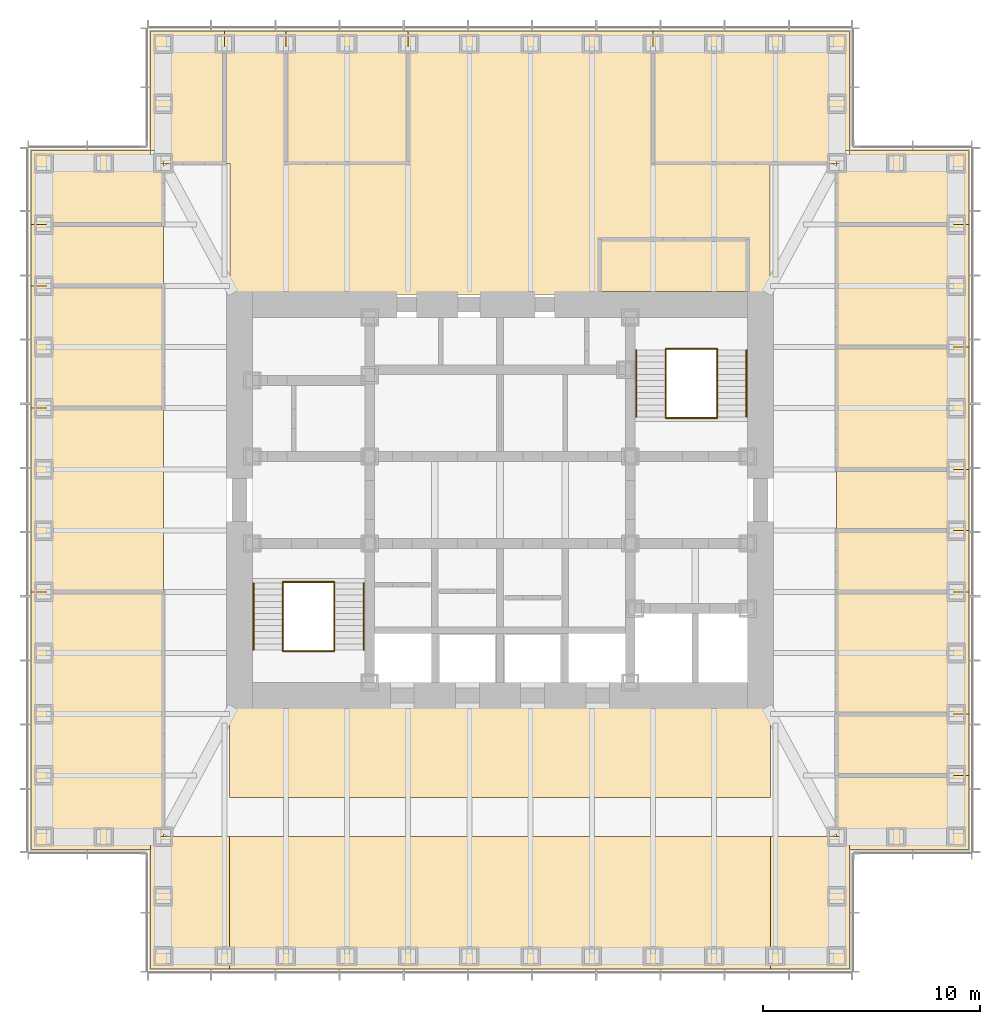
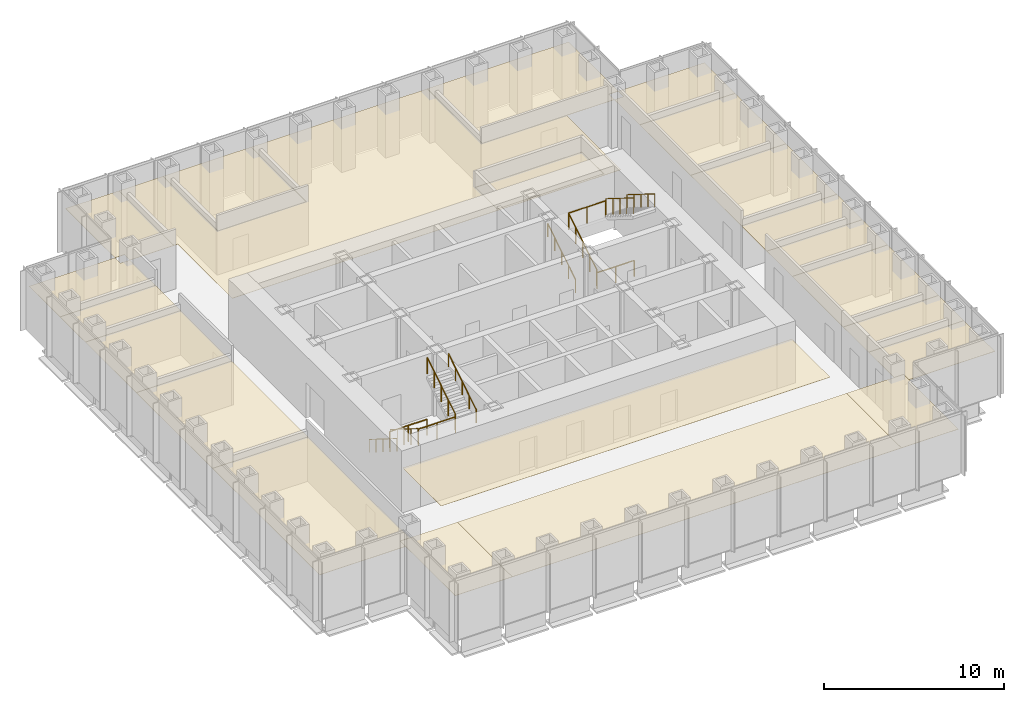
# One storey, part 16 of 16: 22 coverings, 12 railings.
"""IFC4 building model written with IfcOpenShell, lengths in metres."""

from ifc_helpers import new_model, si_unit, direction, frame, origin, origin_2d, place, context, subcontext, project, spatial, polyline, circle, outline, extrude, material, layer, layer_set, type_object, element, save


model = new_model("IFC4")

# Units and contexts
model_context = context("Model", 3, precision=1e-05, world=origin(), true_north=direction((0.0, 1.0)))
body_context = subcontext(model_context, "Body", "Model", "MODEL_VIEW")
ifc_project = project(units=[si_unit("LENGTHUNIT", "METRE"), si_unit("AREAUNIT", "SQUARE_METRE"), si_unit("VOLUMEUNIT", "CUBIC_METRE"), si_unit("PLANEANGLEUNIT", "RADIAN"), si_unit("MASSUNIT", "GRAM", prefix="KILO")], contexts=[model_context])

# Site, building, storey
site_placement = place(None, origin())
site = spatial("IfcSite", under=ifc_project, at=site_placement, CompositionType="ELEMENT")
building_placement = place(site_placement, origin())
building = spatial("IfcBuilding", under=site, at=building_placement, Name="Daluyong Arena Tower", CompositionType="ELEMENT")
storey_placement = place(building_placement, frame((0.0, 0.0, 206.5)))
storey = spatial("IfcBuildingStorey", under=building, at=storey_placement, Name="L46", CompositionType="ELEMENT", Elevation=206.5)

# Coverings
ifc_material_1 = material(Name="Mineral fibre ceiling tile", Category="gypsum board")
ifc_layer = layer(ifc_material_1, 0.02001953125)
ifc_layer_set = layer_set([ifc_layer], Name="Mineral fibre ceiling tile")
covering_type = type_object("IfcCoveringType", Name="Office ceiling", PredefinedType="CEILING", material=ifc_layer_set)
covering_1_placement = place(storey_placement, frame((0.0, 0.0, 2.89990234375)))
element("IfcCovering", 1, at=covering_1_placement, inside=storey, type_object=covering_type, Name="ceiling L46-01", PredefinedType="CEILING", context=body_context, shape_type="SweptSolid", body=[
    extrude(outline(polyline([(72.10009765625, 63.89990234375), (77.60009765625, 63.89990234375), (77.60009765625, 67.318115234375), (71.5, 67.318115234375), (71.5, 64.5), (72.10009765625, 64.5), (72.10009765625, 63.89990234375)])), origin(), (0.0, 0.0, 1.0), 0.02001953125),
])
covering_2_placement = place(storey_placement, frame((0.0, 0.0, 2.89990234375)))
element("IfcCovering", 2, at=covering_2_placement, inside=storey, type_object=covering_type, Name="ceiling L46-02", PredefinedType="CEILING", context=body_context, shape_type="SweptSolid", body=[
    extrude(outline(polyline([(71.5, 67.318115234375), (77.60009765625, 67.318115234375), (77.60009765625, 70.136474609375), (71.5, 70.136474609375), (71.5, 67.318115234375)])), origin(), (0.0, 0.0, 1.0), 0.02001953125),
])
covering_3_placement = place(storey_placement, frame((0.0, 0.0, 2.89990234375)))
element("IfcCovering", 3, at=covering_3_placement, inside=storey, type_object=covering_type, Name="ceiling L46-03", PredefinedType="CEILING", context=body_context, shape_type="SweptSolid", body=[
    extrude(outline(polyline([(71.5, 70.136474609375), (77.60009765625, 70.136474609375), (77.60009765625, 75.772705078125), (71.5, 75.772705078125), (71.5, 70.136474609375)])), origin(), (0.0, 0.0, 1.0), 0.02001953125),
])
covering_4_placement = place(storey_placement, frame((0.0, 0.0, 2.89990234375)))
element("IfcCovering", 4, at=covering_4_placement, inside=storey, type_object=covering_type, Name="ceiling L46-04", PredefinedType="CEILING", context=body_context, shape_type="SweptSolid", body=[
    extrude(outline(polyline([(71.5, 75.772705078125), (77.60009765625, 75.772705078125), (77.60009765625, 78.5908203125), (71.5, 78.5908203125), (71.5, 75.772705078125)])), origin(), (0.0, 0.0, 1.0), 0.02001953125),
])
covering_5_placement = place(storey_placement, frame((0.0, 0.0, 2.89990234375)))
element("IfcCovering", 5, at=covering_5_placement, inside=storey, type_object=covering_type, Name="ceiling L46-05", PredefinedType="CEILING", context=body_context, shape_type="SweptSolid", body=[
    extrude(outline(polyline([(71.5, 81.4091796875), (77.60009765625, 81.4091796875), (77.60009765625, 87.04541015625), (71.5, 87.04541015625), (71.5, 81.4091796875)])), origin(), (0.0, 0.0, 1.0), 0.02001953125),
])
covering_6_placement = place(storey_placement, frame((0.0, 0.0, 2.89990234375)))
element("IfcCovering", 6, at=covering_6_placement, inside=storey, type_object=covering_type, Name="ceiling L46-06", PredefinedType="CEILING", context=body_context, shape_type="SweptSolid", body=[
    extrude(outline(polyline([(71.5, 87.04541015625), (77.60009765625, 87.04541015625), (77.60009765625, 92.681884765625), (71.5, 92.681884765625), (71.5, 87.04541015625)])), origin(), (0.0, 0.0, 1.0), 0.02001953125),
])
covering_7_placement = place(storey_placement, frame((0.0, 0.0, 2.89990234375)))
element("IfcCovering", 7, at=covering_7_placement, inside=storey, type_object=covering_type, Name="ceiling L46-07", PredefinedType="CEILING", context=body_context, shape_type="SweptSolid", body=[
    extrude(outline(polyline([(71.5, 92.681884765625), (77.60009765625, 92.681884765625), (77.60009765625, 96.10009765625), (72.10009765625, 96.10009765625), (72.10009765625, 95.5), (71.5, 95.5), (71.5, 92.681884765625)])), origin(), (0.0, 0.0, 1.0), 0.02001953125),
])
covering_8_placement = place(storey_placement, frame((0.0, 0.0, 2.89990234375)))
element("IfcCovering", 8, at=covering_8_placement, inside=storey, type_object=covering_type, Name="ceiling L46-08", PredefinedType="CEILING", context=body_context, shape_type="SweptSolid", body=[
    extrude(outline(polyline([(43.318115234375, 95.5), (43.318115234375, 101.60009765625), (39.89990234375, 101.60009765625), (39.89990234375, 96.10009765625), (40.5, 96.10009765625), (40.5, 95.5), (43.318115234375, 95.5)])), origin(), (0.0, 0.0, 1.0), 0.02001953125),
])
covering_9_placement = place(storey_placement, frame((0.0, 0.0, 2.89990234375)))
element("IfcCovering", 9, at=covering_9_placement, inside=storey, type_object=covering_type, Name="ceiling L46-09", PredefinedType="CEILING", context=body_context, shape_type="SweptSolid", body=[
    extrude(outline(polyline([(51.772705078125, 95.5), (51.772705078125, 101.60009765625), (46.136474609375, 101.60009765625), (46.136474609375, 95.5), (51.772705078125, 95.5)])), origin(), (0.0, 0.0, 1.0), 0.02001953125),
])
covering_10_placement = place(storey_placement, frame((0.0, 0.0, 2.89990234375)))
element("IfcCovering", 10, at=covering_10_placement, inside=storey, type_object=covering_type, Name="ceiling L46-10", PredefinedType="CEILING", context=body_context, shape_type="SweptSolid", body=[
    extrude(outline(polyline([(63.04541015625, 95.5), (71.5, 95.5), (71.5, 96.10009765625), (72.10009765625, 96.10009765625), (72.10009765625, 101.60009765625), (63.04541015625, 101.60009765625), (63.04541015625, 95.5)])), origin(), (0.0, 0.0, 1.0), 0.02001953125),
])
covering_11_placement = place(storey_placement, frame((0.0, 0.0, 2.89990234375)))
element("IfcCovering", 11, at=covering_11_placement, inside=storey, type_object=covering_type, Name="ceiling L46-11", PredefinedType="CEILING", context=body_context, shape_type="SweptSolid", body=[
    extrude(outline(polyline([(34.39990234375, 63.89990234375), (39.89990234375, 63.89990234375), (39.89990234375, 64.5), (40.5, 64.5), (40.5, 75.772705078125), (34.39990234375, 75.772705078125), (34.39990234375, 63.89990234375)])), origin(), (0.0, 0.0, 1.0), 0.02001953125),
])
covering_12_placement = place(storey_placement, frame((0.0, 0.0, 2.89990234375)))
element("IfcCovering", 12, at=covering_12_placement, inside=storey, type_object=covering_type, Name="ceiling L46-12", PredefinedType="CEILING", context=body_context, shape_type="SweptSolid", body=[
    extrude(outline(polyline([(40.5, 89.863525390625), (34.39990234375, 89.863525390625), (34.39990234375, 84.227294921875), (40.5, 84.227294921875), (40.5, 89.863525390625)])), origin(), (0.0, 0.0, 1.0), 0.02001953125),
])
covering_13_placement = place(storey_placement, frame((0.0, 0.0, 2.89990234375)))
element("IfcCovering", 13, at=covering_13_placement, inside=storey, type_object=covering_type, Name="ceiling L46-13", PredefinedType="CEILING", context=body_context, shape_type="SweptSolid", body=[
    extrude(outline(polyline([(40.5, 92.681884765625), (40.5, 95.5), (39.89990234375, 95.5), (39.89990234375, 96.10009765625), (34.39990234375, 96.10009765625), (34.39990234375, 92.681884765625), (40.5, 92.681884765625)])), origin(), (0.0, 0.0, 1.0), 0.02001953125),
])
covering_14_placement = place(storey_placement, frame((0.0, 0.0, 2.89990234375)))
element("IfcCovering", 14, at=covering_14_placement, inside=storey, type_object=covering_type, Name="ceiling L46-14", PredefinedType="CEILING", context=body_context, shape_type="SweptSolid", body=[
    extrude(outline(polyline([(60.60009765625, 89.60009765625), (67.39990234375, 89.60009765625), (67.39990234375, 92.0), (60.60009765625, 92.0), (60.60009765625, 89.60009765625)])), origin(), (0.0, 0.0, 1.0), 0.02001953125),
])
covering_15_placement = place(storey_placement, frame((0.0, 0.0, 2.89990234375)))
element("IfcCovering", 15, at=covering_15_placement, inside=storey, type_object=covering_type, Name="ceiling L46-18", PredefinedType="CEILING", context=body_context, shape_type="SweptSolid", body=[
    extrude(outline(polyline([(43.550048828125, 58.39990234375), (68.449951171875, 58.39990234375), (68.449951171875, 64.5), (43.550048828125, 64.5), (43.550048828125, 58.39990234375)])), origin(), (0.0, 0.0, 1.0), 0.02001953125),
])
covering_16_placement = place(storey_placement, frame((0.0, 0.0, 2.89990234375)))
element("IfcCovering", 16, at=covering_16_placement, inside=storey, type_object=covering_type, Name="ceiling L46-19", PredefinedType="CEILING", context=body_context, shape_type="SweptSolid", body=[
    extrude(outline(polyline([(68.449951171875, 70.550048828125), (43.550048828125, 70.550048828125), (43.550048828125, 66.300048828125), (68.449951171875, 66.300048828125), (68.449951171875, 70.550048828125)])), origin(), (0.0, 0.0, 1.0), 0.02001953125),
])
covering_17_placement = place(storey_placement, frame((0.0, 0.0, 2.89990234375)))
element("IfcCovering", 17, at=covering_17_placement, inside=storey, type_object=covering_type, Name="ceiling L46-20", PredefinedType="CEILING", context=body_context, shape_type="SweptSolid", body=[
    extrude(outline(polyline([(71.5, 78.5908203125), (77.60009765625, 78.5908203125), (77.60009765625, 81.4091796875), (71.5, 81.4091796875), (71.5, 78.5908203125)])), origin(), (0.0, 0.0, 1.0), 0.02001953125),
])
covering_18_placement = place(storey_placement, frame((0.0, 0.0, 2.89990234375)))
element("IfcCovering", 18, at=covering_18_placement, inside=storey, type_object=covering_type, Name="ceiling L46-21", PredefinedType="CEILING", context=body_context, shape_type="SweptSolid", body=[
    extrude(outline(polyline([(72.10009765625, 58.39990234375), (72.10009765625, 64.5), (68.449951171875, 64.5), (68.449951171875, 58.39990234375), (72.10009765625, 58.39990234375)])), origin(), (0.0, 0.0, 1.0), 0.02001953125),
])
covering_19_placement = place(storey_placement, frame((0.0, 0.0, 2.89990234375)))
element("IfcCovering", 19, at=covering_19_placement, inside=storey, type_object=covering_type, Name="ceiling L46-22", PredefinedType="CEILING", context=body_context, shape_type="SweptSolid", body=[
    extrude(outline(polyline([(43.318115234375, 95.5), (43.56005859375, 95.5), (43.56005859375, 89.4599609375), (68.43994140625, 89.4599609375), (68.43994140625, 95.489990234375), (63.035400390625, 95.489990234375), (63.035400390625, 101.590087890625), (51.78271484375, 101.590087890625), (51.78271484375, 95.489990234375), (46.12646484375, 95.489990234375), (46.12646484375, 101.590087890625), (43.550537109375, 101.590087890625), (43.5498046875, 101.60009765625), (43.318115234375, 101.60009765625), (43.318115234375, 95.5)]), holes=[polyline([(67.409912109375, 92.010009765625), (67.409912109375, 89.590087890625), (60.590087890625, 89.590087890625), (60.590087890625, 92.010009765625), (67.409912109375, 92.010009765625)])]), origin(), (0.0, 0.0, 1.0), 0.02001953125),
])
covering_20_placement = place(storey_placement, frame((0.0, 0.0, 2.89990234375)))
element("IfcCovering", 20, at=covering_20_placement, inside=storey, type_object=covering_type, Name="ceiling L46-23", PredefinedType="CEILING", context=body_context, shape_type="SweptSolid", body=[
    extrude(outline(polyline([(34.39990234375, 84.227294921875), (34.39990234375, 75.772705078125), (40.5, 75.772705078125), (40.5, 84.227294921875), (34.39990234375, 84.227294921875)])), origin(), (0.0, 0.0, 1.0), 0.02001953125),
])
covering_21_placement = place(storey_placement, frame((0.0, 0.0, 2.89990234375)))
element("IfcCovering", 21, at=covering_21_placement, inside=storey, type_object=covering_type, Name="ceiling L46-24", PredefinedType="CEILING", context=body_context, shape_type="SweptSolid", body=[
    extrude(outline(polyline([(40.5, 89.863525390625), (40.5, 92.681884765625), (34.39990234375, 92.681884765625), (34.39990234375, 89.863525390625), (40.5, 89.863525390625)])), origin(), (0.0, 0.0, 1.0), 0.02001953125),
])
covering_22_placement = place(storey_placement, frame((0.0, 0.0, 2.89990234375)))
element("IfcCovering", 22, at=covering_22_placement, inside=storey, type_object=covering_type, Name="ceiling L46-25", PredefinedType="CEILING", context=body_context, shape_type="SweptSolid", body=[
    extrude(outline(polyline([(39.89990234375, 58.39990234375), (43.550048828125, 58.39990234375), (43.550048828125, 64.5), (39.89990234375, 64.5), (39.89990234375, 58.39990234375)])), origin(), (0.0, 0.0, 1.0), 0.02001953125),
])

# Railings
ifc_material_2 = material(Name="Stainless steel handrail", Category="steel")
railing_type_1 = type_object("IfcRailingType", Name="Stair handrail", PredefinedType="HANDRAIL", material=ifc_material_2)
railing_1_placement = place(storey_placement, frame((44.64990234375, 76.175048828125, 0.175048828125)))
element("IfcRailing", 23, at=railing_1_placement, inside=storey, type_object=railing_type_1, Name="exit stair A handrail L46", PredefinedType="HANDRAIL", context=body_context, shape_type="SweptSolid", body=[
    extrude(circle(Radius=0.02392578125, at=origin_2d()), frame((0.0, 0.0, 0.8759765625), z_axis=(0.0, -0.847998304005, 0.529998940003), x_axis=(1.0, 0.0, 0.0)), (0.0, 0.0, 1.0), 3.632080078125),
    extrude(circle(Radius=0.02099609375, at=origin_2d()), origin(), (0.0, 0.0, 1.0), 0.851806640625),
    extrude(circle(Radius=0.02099609375, at=origin_2d()), frame((0.0, -0.77001953125, 0.481201171875)), (0.0, 0.0, 1.0), 0.851806640625),
    extrude(circle(Radius=0.02099609375, at=origin_2d()), frame((0.0, -1.5400390625, 0.96240234375)), (0.0, 0.0, 1.0), 0.851806640625),
    extrude(circle(Radius=0.02099609375, at=origin_2d()), frame((0.0, -2.31005859375, 1.44384765625)), (0.0, 0.0, 1.0), 0.851806640625),
    extrude(circle(Radius=0.02099609375, at=origin_2d()), frame((0.0, -3.080078125, 1.925048828125)), (0.0, 0.0, 1.0), 0.851806640625),
])
for number, where, name in (
    (24, (49.72509765625, 73.094970703125, 2.27490234375), "exit stair A handrail L46"),
    (25, (62.27490234375, 83.824951171875, 0.175048828125), "exit stair B handrail L46"),
):
    element("IfcRailing", number, at=place(storey_placement, frame(where)), inside=storey, type_object=railing_type_1, Name=name, PredefinedType="HANDRAIL", context=body_context, shape_type="SweptSolid", body=[
        extrude(circle(Radius=0.02392578125, at=origin_2d()), frame((0.0, 0.0, 0.8759765625), z_axis=(0.0, 0.847998304005, 0.529998940003), x_axis=(-1.0, 0.0, 0.0)), (0.0, 0.0, 1.0), 3.632080078125),
        extrude(circle(Radius=0.02099609375, at=origin_2d()), origin(), (0.0, 0.0, 1.0), 0.851806640625),
        extrude(circle(Radius=0.02099609375, at=origin_2d()), frame((0.0, 0.77001953125, 0.481201171875)), (0.0, 0.0, 1.0), 0.851806640625),
        extrude(circle(Radius=0.02099609375, at=origin_2d()), frame((0.0, 1.5400390625, 0.96240234375)), (0.0, 0.0, 1.0), 0.851806640625),
        extrude(circle(Radius=0.02099609375, at=origin_2d()), frame((0.0, 2.31005859375, 1.44384765625)), (0.0, 0.0, 1.0), 0.851806640625),
        extrude(circle(Radius=0.02099609375, at=origin_2d()), frame((0.0, 3.080078125, 1.925048828125)), (0.0, 0.0, 1.0), 0.851806640625),
    ])
railing_2_placement = place(storey_placement, frame((67.35009765625, 86.905029296875, 2.27490234375)))
element("IfcRailing", 26, at=railing_2_placement, inside=storey, type_object=railing_type_1, Name="exit stair B handrail L46", PredefinedType="HANDRAIL", context=body_context, shape_type="SweptSolid", body=[
    extrude(circle(Radius=0.02392578125, at=origin_2d()), frame((0.0, 0.0, 0.8759765625), z_axis=(0.0, -0.847998304005, 0.529998940003), x_axis=(1.0, 0.0, 0.0)), (0.0, 0.0, 1.0), 3.632080078125),
    extrude(circle(Radius=0.02099609375, at=origin_2d()), origin(), (0.0, 0.0, 1.0), 0.851806640625),
    extrude(circle(Radius=0.02099609375, at=origin_2d()), frame((0.0, -0.77001953125, 0.481201171875)), (0.0, 0.0, 1.0), 0.851806640625),
    extrude(circle(Radius=0.02099609375, at=origin_2d()), frame((0.0, -1.5400390625, 0.96240234375)), (0.0, 0.0, 1.0), 0.851806640625),
    extrude(circle(Radius=0.02099609375, at=origin_2d()), frame((0.0, -2.31005859375, 1.44384765625)), (0.0, 0.0, 1.0), 0.851806640625),
    extrude(circle(Radius=0.02099609375, at=origin_2d()), frame((0.0, -3.080078125, 1.925048828125)), (0.0, 0.0, 1.0), 0.851806640625),
])
ifc_material_3 = material(Name="Steel balustrade", Category="steel")
railing_type_2 = type_object("IfcRailingType", Name="Stair well guard 1100", PredefinedType="GUARDRAIL", material=ifc_material_3)
railing_3_placement = place(storey_placement, frame((46.0, 76.175048828125, 0.175048828125)))
element("IfcRailing", 27, at=railing_3_placement, inside=storey, type_object=railing_type_2, Name="exit stair A well guard L46", PredefinedType="GUARDRAIL", context=body_context, shape_type="SweptSolid", body=[
    extrude(circle(Radius=0.02392578125, at=origin_2d()), frame((0.0, 0.0, 1.076171875), z_axis=(0.0, -0.847998304005, 0.529998940003), x_axis=(1.0, 0.0, 0.0)), (0.0, 0.0, 1.0), 3.632080078125),
    extrude(circle(Radius=0.02099609375, at=origin_2d()), origin(), (0.0, 0.0, 1.0), 1.052001953125),
    extrude(circle(Radius=0.02099609375, at=origin_2d()), frame((0.0, -0.77001953125, 0.481201171875)), (0.0, 0.0, 1.0), 1.052001953125),
    extrude(circle(Radius=0.02099609375, at=origin_2d()), frame((0.0, -1.5400390625, 0.96240234375)), (0.0, 0.0, 1.0), 1.052001953125),
    extrude(circle(Radius=0.02099609375, at=origin_2d()), frame((0.0, -2.31005859375, 1.44384765625)), (0.0, 0.0, 1.0), 1.052001953125),
    extrude(circle(Radius=0.02099609375, at=origin_2d()), frame((0.0, -3.080078125, 1.925048828125)), (0.0, 0.0, 1.0), 1.052001953125),
])
railing_4_placement = place(storey_placement, frame((48.375, 73.094970703125, 2.27490234375)))
element("IfcRailing", 28, at=railing_4_placement, inside=storey, type_object=railing_type_2, Name="exit stair A well guard L46", PredefinedType="GUARDRAIL", context=body_context, shape_type="SweptSolid", body=[
    extrude(circle(Radius=0.02392578125, at=origin_2d()), frame((0.0, 0.0, 1.076171875), z_axis=(0.0, 0.847998304005, 0.529998940003), x_axis=(-1.0, 0.0, 0.0)), (0.0, 0.0, 1.0), 3.632080078125),
    extrude(circle(Radius=0.02099609375, at=origin_2d()), origin(), (0.0, 0.0, 1.0), 1.052001953125),
    extrude(circle(Radius=0.02099609375, at=origin_2d()), frame((0.0, 0.77001953125, 0.481201171875)), (0.0, 0.0, 1.0), 1.052001953125),
    extrude(circle(Radius=0.02099609375, at=origin_2d()), frame((0.0, 1.5400390625, 0.96240234375)), (0.0, 0.0, 1.0), 1.052001953125),
    extrude(circle(Radius=0.02099609375, at=origin_2d()), frame((0.0, 2.31005859375, 1.44384765625)), (0.0, 0.0, 1.0), 1.052001953125),
    extrude(circle(Radius=0.02099609375, at=origin_2d()), frame((0.0, 3.080078125, 1.925048828125)), (0.0, 0.0, 1.0), 1.052001953125),
])
for number, where, name in (
    (29, (46.0, 73.044921875, 2.10009765625), "exit stair A landing guard L46"),
    (30, (46.0, 76.22509765625, 0.0), "exit stair A floor landing guard L46"),
):
    element("IfcRailing", number, at=place(storey_placement, frame(where)), inside=storey, type_object=railing_type_2, Name=name, PredefinedType="GUARDRAIL", context=body_context, shape_type="SweptSolid", body=[
        extrude(circle(Radius=0.02392578125, at=origin_2d()), frame((0.0, 0.0, 1.076171875), z_axis=(1.0, 0.0, 0.0), x_axis=(0.0, 1.0, 0.0)), (0.0, 0.0, 1.0), 2.375),
        extrude(circle(Radius=0.02099609375, at=origin_2d()), origin(), (0.0, 0.0, 1.0), 1.052001953125),
        extrude(circle(Radius=0.02099609375, at=origin_2d()), frame((1.1875, 0.0, 0.0)), (0.0, 0.0, 1.0), 1.052001953125),
        extrude(circle(Radius=0.02099609375, at=origin_2d()), frame((2.375, 0.0, 0.0)), (0.0, 0.0, 1.0), 1.052001953125),
    ])
railing_5_placement = place(storey_placement, frame((63.625, 83.824951171875, 0.175048828125)))
element("IfcRailing", 31, at=railing_5_placement, inside=storey, type_object=railing_type_2, Name="exit stair B well guard L46", PredefinedType="GUARDRAIL", context=body_context, shape_type="SweptSolid", body=[
    extrude(circle(Radius=0.02392578125, at=origin_2d()), frame((0.0, 0.0, 1.076171875), z_axis=(0.0, 0.847998304005, 0.529998940003), x_axis=(-1.0, 0.0, 0.0)), (0.0, 0.0, 1.0), 3.632080078125),
    extrude(circle(Radius=0.02099609375, at=origin_2d()), origin(), (0.0, 0.0, 1.0), 1.052001953125),
    extrude(circle(Radius=0.02099609375, at=origin_2d()), frame((0.0, 0.77001953125, 0.481201171875)), (0.0, 0.0, 1.0), 1.052001953125),
    extrude(circle(Radius=0.02099609375, at=origin_2d()), frame((0.0, 1.5400390625, 0.96240234375)), (0.0, 0.0, 1.0), 1.052001953125),
    extrude(circle(Radius=0.02099609375, at=origin_2d()), frame((0.0, 2.31005859375, 1.44384765625)), (0.0, 0.0, 1.0), 1.052001953125),
    extrude(circle(Radius=0.02099609375, at=origin_2d()), frame((0.0, 3.080078125, 1.925048828125)), (0.0, 0.0, 1.0), 1.052001953125),
])
railing_6_placement = place(storey_placement, frame((66.0, 86.905029296875, 2.27490234375)))
element("IfcRailing", 32, at=railing_6_placement, inside=storey, type_object=railing_type_2, Name="exit stair B well guard L46", PredefinedType="GUARDRAIL", context=body_context, shape_type="SweptSolid", body=[
    extrude(circle(Radius=0.02392578125, at=origin_2d()), frame((0.0, 0.0, 1.076171875), z_axis=(0.0, -0.847998304005, 0.529998940003), x_axis=(1.0, 0.0, 0.0)), (0.0, 0.0, 1.0), 3.632080078125),
    extrude(circle(Radius=0.02099609375, at=origin_2d()), origin(), (0.0, 0.0, 1.0), 1.052001953125),
    extrude(circle(Radius=0.02099609375, at=origin_2d()), frame((0.0, -0.77001953125, 0.481201171875)), (0.0, 0.0, 1.0), 1.052001953125),
    extrude(circle(Radius=0.02099609375, at=origin_2d()), frame((0.0, -1.5400390625, 0.96240234375)), (0.0, 0.0, 1.0), 1.052001953125),
    extrude(circle(Radius=0.02099609375, at=origin_2d()), frame((0.0, -2.31005859375, 1.44384765625)), (0.0, 0.0, 1.0), 1.052001953125),
    extrude(circle(Radius=0.02099609375, at=origin_2d()), frame((0.0, -3.080078125, 1.925048828125)), (0.0, 0.0, 1.0), 1.052001953125),
])
for number, where, name in (
    (33, (63.625, 86.955078125, 2.10009765625), "exit stair B landing guard L46"),
    (34, (63.625, 83.77490234375, 0.0), "exit stair B floor landing guard L46"),
):
    element("IfcRailing", number, at=place(storey_placement, frame(where)), inside=storey, type_object=railing_type_2, Name=name, PredefinedType="GUARDRAIL", context=body_context, shape_type="SweptSolid", body=[
        extrude(circle(Radius=0.02392578125, at=origin_2d()), frame((0.0, 0.0, 1.076171875), z_axis=(1.0, 0.0, 0.0), x_axis=(0.0, 1.0, 0.0)), (0.0, 0.0, 1.0), 2.375),
        extrude(circle(Radius=0.02099609375, at=origin_2d()), origin(), (0.0, 0.0, 1.0), 1.052001953125),
        extrude(circle(Radius=0.02099609375, at=origin_2d()), frame((1.1875, 0.0, 0.0)), (0.0, 0.0, 1.0), 1.052001953125),
        extrude(circle(Radius=0.02099609375, at=origin_2d()), frame((2.375, 0.0, 0.0)), (0.0, 0.0, 1.0), 1.052001953125),
    ])

save(model, "model.ifc")
